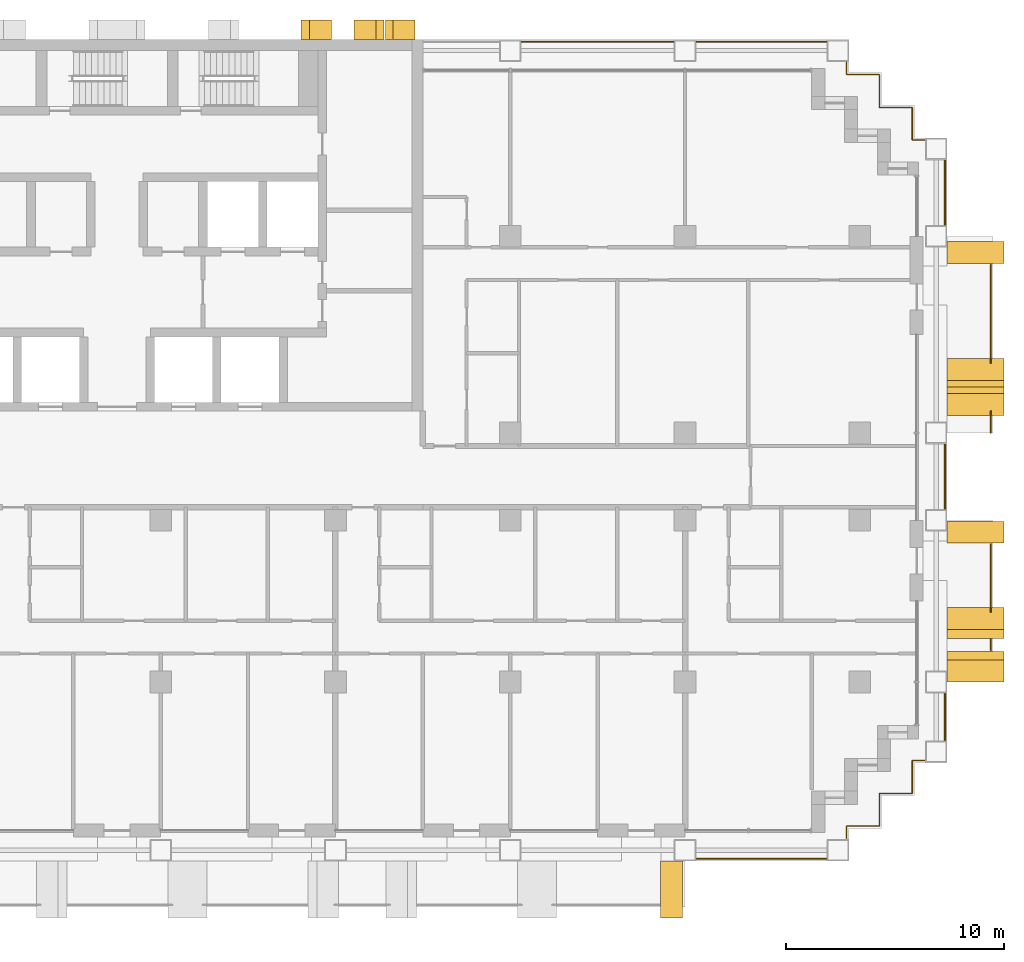
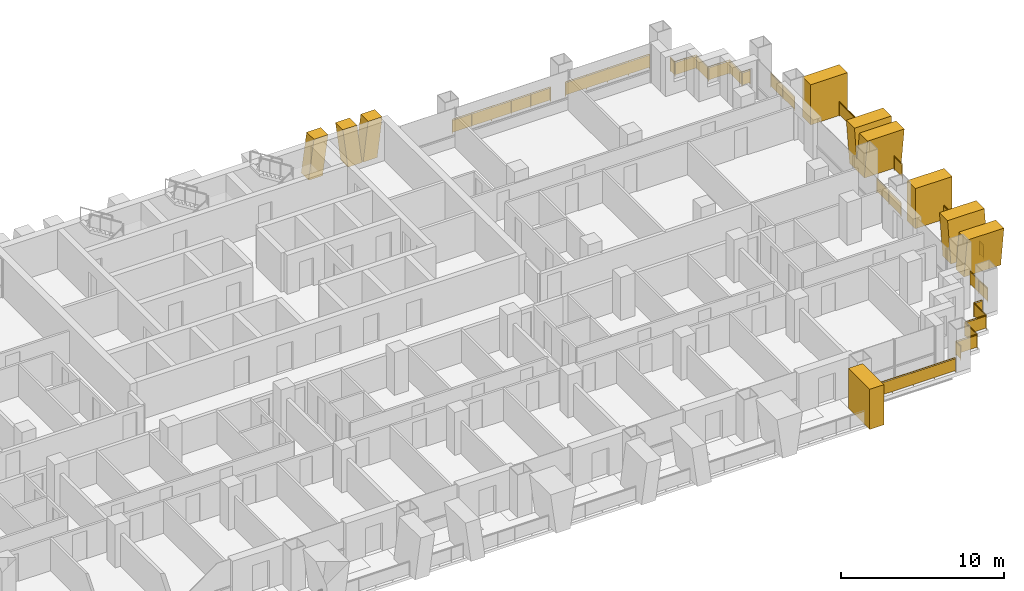
# One storey, part 19 of 19: 12 railings, 9 shading devices.
"""IFC4 building model written with IfcOpenShell, lengths in metres."""

from ifc_helpers import new_model, si_unit, direction, frame, origin, origin_2d, place, context, subcontext, project, spatial, polyline, rectangle, circle, outline, extrude, material, layer, layer_set, type_object, element, save


model = new_model("IFC4")

# Units and contexts
model_context = context("Model", 3, precision=1e-05, world=origin(), true_north=direction((0.0, 1.0)))
body_context = subcontext(model_context, "Body", "Model", "MODEL_VIEW")
ifc_project = project(units=[si_unit("LENGTHUNIT", "METRE"), si_unit("AREAUNIT", "SQUARE_METRE"), si_unit("VOLUMEUNIT", "CUBIC_METRE"), si_unit("PLANEANGLEUNIT", "RADIAN"), si_unit("MASSUNIT", "GRAM", prefix="KILO")], contexts=[model_context])

# Site, building, storey
site_placement = place(None, origin())
site = spatial("IfcSite", under=ifc_project, at=site_placement, CompositionType="ELEMENT")
building_placement = place(site_placement, origin())
building = spatial("IfcBuilding", under=site, at=building_placement, Name="Vidyagriha Tower", CompositionType="ELEMENT")
storey_placement = place(building_placement, frame((0.0, 0.0, 57.60009765625)))
storey = spatial("IfcBuildingStorey", under=building, at=storey_placement, Name="L15", CompositionType="ELEMENT", Elevation=57.60009765625)

# Railings
ifc_material_1 = material(Name="Steel ASTM A500 Grade C black painted", Category="steel")
railing_type_1 = type_object("IfcRailingType", Name="Balcony guard 1100", PredefinedType="BALUSTRADE", material=ifc_material_1)
railing_1_placement = place(storey_placement, frame((40.0, -7.949951171875, 0.0)))
element("IfcRailing", 1, at=railing_1_placement, inside=storey, type_object=railing_type_1, Name="Balcony guard L15 R30.1-1", PredefinedType="BALUSTRADE", context=body_context, shape_type="SweptSolid", body=[
    extrude(circle(Radius=0.02490234375, at=origin_2d()), frame((0.0, 0.0, 1.0751953125), z_axis=(0.0, 1.0, 0.0), x_axis=(-1.0, 0.0, 0.0)), (0.0, 0.0, 1.0), 0.5),
    extrude(circle(Radius=0.02001953125, at=origin_2d()), origin(), (0.0, 0.0, 1.0), 1.050048828125),
    extrude(circle(Radius=0.02001953125, at=origin_2d()), frame((0.0, 0.5, 0.0)), (0.0, 0.0, 1.0), 1.050048828125),
    extrude(rectangle(XDim=0.010009765625, YDim=0.900146484375, at=origin_2d()), frame((0.0, 0.0, 0.550048828125), z_axis=(0.0, 1.0, 0.0), x_axis=(-1.0, 0.0, 0.0)), (0.0, 0.0, 1.0), 0.5),
])
railing_2_placement = place(storey_placement, frame((40.0, -6.19677734375, 0.0)))
element("IfcRailing", 2, at=railing_2_placement, inside=storey, type_object=railing_type_1, Name="Balcony guard L15 R30.1-2", PredefinedType="BALUSTRADE", context=body_context, shape_type="SweptSolid", body=[
    extrude(circle(Radius=0.02490234375, at=origin_2d()), frame((0.0, 0.0, 1.0751953125), z_axis=(0.0, 1.0, 0.0), x_axis=(-1.0, 0.0, 0.0)), (0.0, 0.0, 1.0), 3.0966796875),
    extrude(circle(Radius=0.02001953125, at=origin_2d()), origin(), (0.0, 0.0, 1.0), 1.050048828125),
    extrude(circle(Radius=0.02001953125, at=origin_2d()), frame((0.0, 1.0322265625, 0.0)), (0.0, 0.0, 1.0), 1.050048828125),
    extrude(circle(Radius=0.02001953125, at=origin_2d()), frame((0.0, 2.064453125, 0.0)), (0.0, 0.0, 1.0), 1.050048828125),
    extrude(circle(Radius=0.02001953125, at=origin_2d()), frame((0.0, 3.0966796875, 0.0)), (0.0, 0.0, 1.0), 1.050048828125),
    extrude(rectangle(XDim=0.010009765625, YDim=0.900146484375, at=origin_2d()), frame((0.0, 0.0, 0.550048828125), z_axis=(0.0, 1.0, 0.0), x_axis=(-1.0, 0.0, 0.0)), (0.0, 0.0, 1.0), 3.0966796875),
])
railing_3_placement = place(storey_placement, frame((40.0, 2.0, 0.0)))
element("IfcRailing", 3, at=railing_3_placement, inside=storey, type_object=railing_type_1, Name="Balcony guard L15 R30.2-1", PredefinedType="BALUSTRADE", context=body_context, shape_type="SweptSolid", body=[
    extrude(circle(Radius=0.02490234375, at=origin_2d()), frame((0.0, 0.0, 1.0751953125), z_axis=(0.0, 1.0, 0.0), x_axis=(-1.0, 0.0, 0.0)), (0.0, 0.0, 1.0), 0.99658203125),
    extrude(circle(Radius=0.02001953125, at=origin_2d()), origin(), (0.0, 0.0, 1.0), 1.050048828125),
    extrude(circle(Radius=0.02001953125, at=origin_2d()), frame((0.0, 0.99658203125, 0.0)), (0.0, 0.0, 1.0), 1.050048828125),
    extrude(rectangle(XDim=0.010009765625, YDim=0.900146484375, at=origin_2d()), frame((0.0, 0.0, 0.550048828125), z_axis=(0.0, 1.0, 0.0), x_axis=(-1.0, 0.0, 0.0)), (0.0, 0.0, 1.0), 0.99658203125),
])
railing_4_placement = place(storey_placement, frame((40.0, 5.203369140625, 0.0)))
element("IfcRailing", 4, at=railing_4_placement, inside=storey, type_object=railing_type_1, Name="Balcony guard L15 R30.2-2", PredefinedType="BALUSTRADE", context=body_context, shape_type="SweptSolid", body=[
    extrude(circle(Radius=0.02490234375, at=origin_2d()), frame((0.0, 0.0, 1.0751953125), z_axis=(0.0, 1.0, 0.0), x_axis=(-1.0, 0.0, 0.0)), (0.0, 0.0, 1.0), 4.49658203125),
    extrude(circle(Radius=0.02001953125, at=origin_2d()), origin(), (0.0, 0.0, 1.0), 1.050048828125),
    extrude(circle(Radius=0.02001953125, at=origin_2d()), frame((0.0, 1.1240234375, 0.0)), (0.0, 0.0, 1.0), 1.050048828125),
    extrude(circle(Radius=0.02001953125, at=origin_2d()), frame((0.0, 2.248291015625, 0.0)), (0.0, 0.0, 1.0), 1.050048828125),
    extrude(circle(Radius=0.02001953125, at=origin_2d()), frame((0.0, 3.37255859375, 0.0)), (0.0, 0.0, 1.0), 1.050048828125),
    extrude(circle(Radius=0.02001953125, at=origin_2d()), frame((0.0, 4.49658203125, 0.0)), (0.0, 0.0, 1.0), 1.050048828125),
    extrude(rectangle(XDim=0.010009765625, YDim=0.900146484375, at=origin_2d()), frame((0.0, 0.0, 0.550048828125), z_axis=(0.0, 1.0, 0.0), x_axis=(-1.0, 0.0, 0.0)), (0.0, 0.0, 1.0), 4.49658203125),
])

# Shading devices
ifc_material_2 = material(Name="Precast concrete C40/50 with buff brick facing", Category="concrete")
ifc_layer_1 = layer(ifc_material_2, 1.0)
ifc_layer_set_1 = layer_set([ifc_layer_1], Name="Precast concrete C40/50 with buff brick facing")
shading_device_type_1 = type_object("IfcShadingDeviceType", Name="Brick-faced blade fin arm leaning 8 degrees", PredefinedType="USERDEFINED", material=ifc_layer_set_1)
shading_device_1_placement = place(storey_placement, frame((39.300048828125, -7.39990234375, 0.0), z_axis=(0.0, 0.0, 1.0), x_axis=(0.0, 1.0, 0.0)))
element("IfcShadingDevice", 5, at=shading_device_1_placement, inside=storey, type_object=shading_device_type_1, Name="Leaning blade fin L15 R30.200a", ObjectType="BLADE FIN", PredefinedType="USERDEFINED", context=body_context, shape_type="SweptSolid", body=[
    extrude(outline(polyline([(0.0, 0.0), (1.0, 0.0), (1.39990234375, 3.0), (0.39990234375, 3.0), (0.0, 0.0)])), frame((0.0, 1.300048828125, 0.0), z_axis=(0.0, -1.0, 0.0), x_axis=(1.0, 0.0, 0.0)), (0.0, 0.0, 1.0), 2.60009765625),
])
shading_device_2_placement = place(storey_placement, frame((39.300048828125, -9.39990234375, 0.0), z_axis=(0.0, 0.0, 1.0), x_axis=(0.0, 1.0, 0.0)))
element("IfcShadingDevice", 6, at=shading_device_2_placement, inside=storey, type_object=shading_device_type_1, Name="Leaning blade fin L15 R30.200b", ObjectType="BLADE FIN", PredefinedType="USERDEFINED", context=body_context, shape_type="SweptSolid", body=[
    extrude(outline(polyline([(0.39990234375, 0.0), (1.39990234375, 0.0), (1.0, 3.0), (0.0, 3.0), (0.39990234375, 0.0)])), frame((0.0, 1.300048828125, 0.0), z_axis=(0.0, -1.0, 0.0), x_axis=(1.0, 0.0, 0.0)), (0.0, 0.0, 1.0), 2.60009765625),
])
ifc_material_3 = material(Name="Precast concrete C40/50 with buff brick facing", Category="concrete")
ifc_layer_2 = layer(ifc_material_3, 1.0)
ifc_layer_set_2 = layer_set([ifc_layer_2], Name="Precast concrete C40/50 with buff brick facing")
shading_device_type_2 = type_object("IfcShadingDeviceType", Name="Brick-faced blade fin forking 8 degrees", PredefinedType="USERDEFINED", material=ifc_layer_set_2)
shading_device_3_placement = place(storey_placement, frame((39.300048828125, 2.800048828125, 0.0), z_axis=(0.0, 0.0, 1.0), x_axis=(0.0, 1.0, 0.0)))
element("IfcShadingDevice", 7, at=shading_device_3_placement, inside=storey, type_object=shading_device_type_2, Name="Forked blade fin L15 R30.1340a", ObjectType="BLADE FIN", PredefinedType="USERDEFINED", context=body_context, shape_type="SweptSolid", body=[
    extrude(outline(polyline([(0.39990234375, 0.0), (2.199951171875, 0.0), (2.60009765625, 3.0), (1.60009765625, 3.0), (1.300048828125, 0.75), (1.0, 3.0), (0.0, 3.0), (0.39990234375, 0.0)])), frame((0.0, 1.300048828125, 0.0), z_axis=(0.0, -1.0, 0.0), x_axis=(1.0, 0.0, 0.0)), (0.0, 0.0, 1.0), 2.60009765625),
])
ifc_material_4 = material(Name="Precast concrete C40/50 with buff brick facing", Category="concrete")
ifc_layer_3 = layer(ifc_material_4, 1.0)
ifc_layer_set_3 = layer_set([ifc_layer_3], Name="Precast concrete C40/50 with buff brick facing")
shading_device_type_3 = type_object("IfcShadingDeviceType", Name="Brick-faced blade fin stem 1000", PredefinedType="USERDEFINED", material=ifc_layer_set_3)
shading_device_4_placement = place(storey_placement, frame((24.875, -18.89990234375, 0.0)))
element("IfcShadingDevice", 8, at=shading_device_4_placement, inside=storey, type_object=shading_device_type_3, Name="Stem blade fin L15 R23.5780a", ObjectType="BLADE FIN", PredefinedType="USERDEFINED", context=body_context, shape_type="SweptSolid", body=[
    extrude(outline(polyline([(0.0, 0.0), (1.0, 0.0), (1.0, 3.0), (0.0, 3.0), (0.0, 0.0)])), frame((0.0, 1.300048828125, 0.0), z_axis=(0.0, -1.0, 0.0), x_axis=(1.0, 0.0, 0.0)), (0.0, 0.0, 1.0), 2.60009765625),
])
for number, where, z_axis, x_axis, name in (
    (9, (39.300048828125, -3.050048828125, 0.0), (0.0, 0.0, 1.0), (0.0, 1.0, 0.0), "Stem blade fin L15 R30.940a"),
    (10, (39.300048828125, 9.75, 0.0), (0.0, 0.0, 1.0), (0.0, 1.0, 0.0), "Stem blade fin L15 R30.2240a"),
):
    element("IfcShadingDevice", number, at=place(storey_placement, frame(where, z_axis=z_axis, x_axis=x_axis)), inside=storey, type_object=shading_device_type_3, Name=name, ObjectType="BLADE FIN", PredefinedType="USERDEFINED", context=body_context, shape_type="SweptSolid", body=[
        extrude(outline(polyline([(0.0, 0.0), (1.0, 0.0), (1.0, 3.0), (0.0, 3.0), (0.0, 0.0)])), frame((0.0, 1.300048828125, 0.0), z_axis=(0.0, -1.0, 0.0), x_axis=(1.0, 0.0, 0.0)), (0.0, 0.0, 1.0), 2.60009765625),
    ])
ifc_material_5 = material(Name="Precast concrete C40/50 with brick facing", Category="concrete")
ifc_layer_4 = layer(ifc_material_5, 1.0)
ifc_layer_set_4 = layer_set([ifc_layer_4], Name="Precast concrete C40/50 with brick facing")
shading_device_type_4 = type_object("IfcShadingDeviceType", Name="Brick-faced rear rib arm leaning 8 degrees", PredefinedType="USERDEFINED", material=ifc_layer_set_4)
shading_device_5_placement = place(storey_placement, frame((12.21435546875, 20.449951171875, 0.0), z_axis=(0.0, 0.0, 1.0), x_axis=(-1.0, 0.0, 0.0)))
element("IfcShadingDevice", 11, at=shading_device_5_placement, inside=storey, type_object=shading_device_type_4, Name="Rear rib arm L15 R08.1a", ObjectType="BLADE FIN", PredefinedType="USERDEFINED", context=body_context, shape_type="SweptSolid", body=[
    extrude(outline(polyline([(0.0, 0.0), (1.0, 0.0), (1.357177734375, 2.919921875), (0.357177734375, 2.919921875), (0.0, 0.0)])), frame((0.0, 0.449951171875, 0.0), z_axis=(0.0, -1.0, 0.0), x_axis=(1.0, 0.0, 0.0)), (0.0, 0.0, 1.0), 0.89990234375),
])
shading_device_6_placement = place(storey_placement, frame((13.642822265625, 20.449951171875, 0.0), z_axis=(0.0, 0.0, 1.0), x_axis=(-1.0, 0.0, 0.0)))
element("IfcShadingDevice", 12, at=shading_device_6_placement, inside=storey, type_object=shading_device_type_4, Name="Rear rib arm L15 R08.1b", ObjectType="BLADE FIN", PredefinedType="USERDEFINED", context=body_context, shape_type="SweptSolid", body=[
    extrude(outline(polyline([(0.357177734375, 0.0), (1.357177734375, 0.0), (1.0, 2.919921875), (0.0, 2.919921875), (0.357177734375, 0.0)])), frame((0.0, 0.449951171875, 0.0), z_axis=(0.0, -1.0, 0.0), x_axis=(1.0, 0.0, 0.0)), (0.0, 0.0, 1.0), 0.89990234375),
])
shading_device_7_placement = place(storey_placement, frame((9.814208984375, 20.449951171875, 0.0), z_axis=(0.0, 0.0, 1.0), x_axis=(-1.0, 0.0, 0.0)))
element("IfcShadingDevice", 13, at=shading_device_7_placement, inside=storey, type_object=shading_device_type_4, Name="Rear rib arm L15 R08.2b", ObjectType="BLADE FIN", PredefinedType="USERDEFINED", context=body_context, shape_type="SweptSolid", body=[
    extrude(outline(polyline([(0.3857421875, 0.0), (1.3857421875, 0.0), (1.0, 2.919921875), (0.0, 2.919921875), (0.3857421875, 0.0)])), frame((0.0, 0.449951171875, 0.0), z_axis=(0.0, -1.0, 0.0), x_axis=(1.0, 0.0, 0.0)), (0.0, 0.0, 1.0), 0.89990234375),
])

# Railings
ifc_material_6 = material(Name="Steel ASTM A500 Grade C black painted", Category="steel")
railing_type_2 = type_object("IfcRailingType", Name="Gallery guard 1100", PredefinedType="GUARDRAIL", material=ifc_material_6)
railing_5_placement = place(storey_placement, frame((18.530029296875, 19.89990234375, 0.0)))
element("IfcRailing", 14, at=railing_5_placement, inside=storey, type_object=railing_type_2, Name="Gallery guard L15 11", PredefinedType="GUARDRAIL", context=body_context, shape_type="SweptSolid", body=[
    extrude(circle(Radius=0.02490234375, at=origin_2d()), frame((0.0, 0.0, 1.0751953125), z_axis=(1.0, 0.0, 0.0), x_axis=(0.0, 1.0, 0.0)), (0.0, 0.0, 1.0), 6.93994140625),
    extrude(circle(Radius=0.02001953125, at=origin_2d()), origin(), (0.0, 0.0, 1.0), 1.050048828125),
    extrude(circle(Radius=0.02001953125, at=origin_2d()), frame((1.387939453125, 0.0, 0.0)), (0.0, 0.0, 1.0), 1.050048828125),
    extrude(circle(Radius=0.02001953125, at=origin_2d()), frame((2.77587890625, 0.0, 0.0)), (0.0, 0.0, 1.0), 1.050048828125),
    extrude(circle(Radius=0.02001953125, at=origin_2d()), frame((4.1640625, 0.0, 0.0)), (0.0, 0.0, 1.0), 1.050048828125),
    extrude(circle(Radius=0.02001953125, at=origin_2d()), frame((5.552001953125, 0.0, 0.0)), (0.0, 0.0, 1.0), 1.050048828125),
    extrude(circle(Radius=0.02001953125, at=origin_2d()), frame((6.93994140625, 0.0, 0.0)), (0.0, 0.0, 1.0), 1.050048828125),
    extrude(rectangle(XDim=0.010009765625, YDim=0.900146484375, at=origin_2d()), frame((0.0, 0.0, 0.550048828125), z_axis=(1.0, 0.0, 0.0), x_axis=(0.0, 1.0, 0.0)), (0.0, 0.0, 1.0), 6.93994140625),
])
railing_6_placement = place(storey_placement, frame((32.469970703125, -17.5, 0.0)))
element("IfcRailing", 15, at=railing_6_placement, inside=storey, type_object=railing_type_2, Name="Gallery guard L15 12", PredefinedType="GUARDRAIL", context=body_context, shape_type="SweptSolid", body=[
    extrude(circle(Radius=0.02490234375, at=origin_2d()), frame((0.0, 0.0, 1.0751953125), z_axis=(-1.0, 0.0, 0.0), x_axis=(0.0, -1.0, 0.0)), (0.0, 0.0, 1.0), 5.93994140625),
    extrude(circle(Radius=0.02001953125, at=origin_2d()), origin(), (0.0, 0.0, 1.0), 1.050048828125),
    extrude(circle(Radius=0.02001953125, at=origin_2d()), frame((-1.48486328125, 0.0, 0.0)), (0.0, 0.0, 1.0), 1.050048828125),
    extrude(circle(Radius=0.02001953125, at=origin_2d()), frame((-2.969970703125, 0.0, 0.0)), (0.0, 0.0, 1.0), 1.050048828125),
    extrude(circle(Radius=0.02001953125, at=origin_2d()), frame((-4.455078125, 0.0, 0.0)), (0.0, 0.0, 1.0), 1.050048828125),
    extrude(circle(Radius=0.02001953125, at=origin_2d()), frame((-5.93994140625, 0.0, 0.0)), (0.0, 0.0, 1.0), 1.050048828125),
    extrude(rectangle(XDim=0.010009765625, YDim=0.900146484375, at=origin_2d()), frame((0.0, 0.0, 0.550048828125), z_axis=(-1.0, 0.0, 0.0), x_axis=(0.0, -1.0, 0.0)), (0.0, 0.0, 1.0), 5.93994140625),
])
railing_7_placement = place(storey_placement, frame((26.530029296875, 19.89990234375, 0.0)))
element("IfcRailing", 16, at=railing_7_placement, inside=storey, type_object=railing_type_2, Name="Gallery guard L15 13", PredefinedType="GUARDRAIL", context=body_context, shape_type="SweptSolid", body=[
    extrude(circle(Radius=0.02490234375, at=origin_2d()), frame((0.0, 0.0, 1.0751953125), z_axis=(1.0, 0.0, 0.0), x_axis=(0.0, 1.0, 0.0)), (0.0, 0.0, 1.0), 5.93994140625),
    extrude(circle(Radius=0.02001953125, at=origin_2d()), origin(), (0.0, 0.0, 1.0), 1.050048828125),
    extrude(circle(Radius=0.02001953125, at=origin_2d()), frame((1.48486328125, 0.0, 0.0)), (0.0, 0.0, 1.0), 1.050048828125),
    extrude(circle(Radius=0.02001953125, at=origin_2d()), frame((2.969970703125, 0.0, 0.0)), (0.0, 0.0, 1.0), 1.050048828125),
    extrude(circle(Radius=0.02001953125, at=origin_2d()), frame((4.455078125, 0.0, 0.0)), (0.0, 0.0, 1.0), 1.050048828125),
    extrude(circle(Radius=0.02001953125, at=origin_2d()), frame((5.93994140625, 0.0, 0.0)), (0.0, 0.0, 1.0), 1.050048828125),
    extrude(rectangle(XDim=0.010009765625, YDim=0.900146484375, at=origin_2d()), frame((0.0, 0.0, 0.550048828125), z_axis=(1.0, 0.0, 0.0), x_axis=(0.0, 1.0, 0.0)), (0.0, 0.0, 1.0), 5.93994140625),
])
railing_8_placement = place(storey_placement, frame((36.969970703125, -13.0, 0.0)))
element("IfcRailing", 17, at=railing_8_placement, inside=storey, type_object=railing_type_2, Name="Gallery guard L15 14", PredefinedType="GUARDRAIL", context=body_context, shape_type="SweptSolid", body=[
    extrude(circle(Radius=0.02490234375, at=origin_2d()), frame((0.0, 0.0, 1.0751953125), z_axis=(-1.0, 0.0, 0.0), x_axis=(0.0, -1.0, 0.0)), (0.0, 0.0, 1.0), 0.570068359375),
    extrude(circle(Radius=0.02490234375, at=origin_2d()), frame((-0.570068359375, 0.0, 1.0751953125), z_axis=(0.0, -1.0, 0.0), x_axis=(1.0, 0.0, 0.0)), (0.0, 0.0, 1.0), 1.5),
    extrude(circle(Radius=0.02490234375, at=origin_2d()), frame((-0.570068359375, -1.5, 1.0751953125), z_axis=(-1.0, 0.0, 0.0), x_axis=(0.0, -1.0, 0.0)), (0.0, 0.0, 1.0), 1.5),
    extrude(circle(Radius=0.02490234375, at=origin_2d()), frame((-2.070068359375, -1.5, 1.0751953125), z_axis=(0.0, -1.0, 0.0), x_axis=(1.0, 0.0, 0.0)), (0.0, 0.0, 1.0), 1.5),
    extrude(circle(Radius=0.02490234375, at=origin_2d()), frame((-2.070068359375, -3.0, 1.0751953125), z_axis=(-1.0, 0.0, 0.0), x_axis=(0.0, -1.0, 0.0)), (0.0, 0.0, 1.0), 1.5),
    extrude(circle(Radius=0.02490234375, at=origin_2d()), frame((-3.570068359375, -3.0, 1.0751953125), z_axis=(0.0, -1.0, 0.0), x_axis=(1.0, 0.0, 0.0)), (0.0, 0.0, 1.0), 0.570068359375),
    extrude(circle(Radius=0.02001953125, at=origin_2d()), origin(), (0.0, 0.0, 1.0), 1.050048828125),
    extrude(circle(Radius=0.02001953125, at=origin_2d()), frame((-0.570068359375, 0.0, 0.0)), (0.0, 0.0, 1.0), 1.050048828125),
    extrude(circle(Radius=0.02001953125, at=origin_2d()), frame((-0.570068359375, -1.5, 0.0)), (0.0, 0.0, 1.0), 1.050048828125),
    extrude(circle(Radius=0.02001953125, at=origin_2d()), frame((-2.070068359375, -1.5, 0.0)), (0.0, 0.0, 1.0), 1.050048828125),
    extrude(circle(Radius=0.02001953125, at=origin_2d()), frame((-2.070068359375, -3.0, 0.0)), (0.0, 0.0, 1.0), 1.050048828125),
    extrude(circle(Radius=0.02001953125, at=origin_2d()), frame((-3.570068359375, -3.0, 0.0)), (0.0, 0.0, 1.0), 1.050048828125),
    extrude(circle(Radius=0.02001953125, at=origin_2d()), frame((-3.570068359375, -3.570068359375, 0.0)), (0.0, 0.0, 1.0), 1.050048828125),
    extrude(rectangle(XDim=0.010009765625, YDim=0.900146484375, at=origin_2d()), frame((0.0, 0.0, 0.550048828125), z_axis=(-1.0, 0.0, 0.0), x_axis=(0.0, -1.0, 0.0)), (0.0, 0.0, 1.0), 0.570068359375),
    extrude(rectangle(XDim=0.010009765625, YDim=0.900146484375, at=origin_2d()), frame((-0.570068359375, 0.0, 0.550048828125), z_axis=(0.0, -1.0, 0.0), x_axis=(1.0, 0.0, 0.0)), (0.0, 0.0, 1.0), 1.5),
    extrude(rectangle(XDim=0.010009765625, YDim=0.900146484375, at=origin_2d()), frame((-0.570068359375, -1.5, 0.550048828125), z_axis=(-1.0, 0.0, 0.0), x_axis=(0.0, -1.0, 0.0)), (0.0, 0.0, 1.0), 1.5),
    extrude(rectangle(XDim=0.010009765625, YDim=0.900146484375, at=origin_2d()), frame((-2.070068359375, -1.5, 0.550048828125), z_axis=(0.0, -1.0, 0.0), x_axis=(1.0, 0.0, 0.0)), (0.0, 0.0, 1.0), 1.5),
    extrude(rectangle(XDim=0.010009765625, YDim=0.900146484375, at=origin_2d()), frame((-2.070068359375, -3.0, 0.550048828125), z_axis=(-1.0, 0.0, 0.0), x_axis=(0.0, -1.0, 0.0)), (0.0, 0.0, 1.0), 1.5),
    extrude(rectangle(XDim=0.010009765625, YDim=0.900146484375, at=origin_2d()), frame((-3.570068359375, -3.0, 0.550048828125), z_axis=(0.0, -1.0, 0.0), x_axis=(1.0, 0.0, 0.0)), (0.0, 0.0, 1.0), 0.570068359375),
])
railing_9_placement = place(storey_placement, frame((33.39990234375, 18.969970703125, 0.0)))
element("IfcRailing", 18, at=railing_9_placement, inside=storey, type_object=railing_type_2, Name="Gallery guard L15 15", PredefinedType="GUARDRAIL", context=body_context, shape_type="SweptSolid", body=[
    extrude(circle(Radius=0.02490234375, at=origin_2d()), frame((0.0, 0.0, 1.0751953125), z_axis=(0.0, -1.0, 0.0), x_axis=(1.0, 0.0, 0.0)), (0.0, 0.0, 1.0), 0.570068359375),
    extrude(circle(Radius=0.02490234375, at=origin_2d()), frame((0.0, -0.570068359375, 1.0751953125), z_axis=(1.0, 0.0, 0.0), x_axis=(0.0, 1.0, 0.0)), (0.0, 0.0, 1.0), 1.5),
    extrude(circle(Radius=0.02490234375, at=origin_2d()), frame((1.5, -0.570068359375, 1.0751953125), z_axis=(0.0, -1.0, 0.0), x_axis=(1.0, 0.0, 0.0)), (0.0, 0.0, 1.0), 1.5),
    extrude(circle(Radius=0.02490234375, at=origin_2d()), frame((1.5, -2.070068359375, 1.0751953125), z_axis=(1.0, 0.0, 0.0), x_axis=(0.0, 1.0, 0.0)), (0.0, 0.0, 1.0), 1.5),
    extrude(circle(Radius=0.02490234375, at=origin_2d()), frame((3.0, -2.070068359375, 1.0751953125), z_axis=(0.0, -1.0, 0.0), x_axis=(1.0, 0.0, 0.0)), (0.0, 0.0, 1.0), 1.5),
    extrude(circle(Radius=0.02490234375, at=origin_2d()), frame((3.0, -3.570068359375, 1.0751953125), z_axis=(1.0, 0.0, 0.0), x_axis=(0.0, 1.0, 0.0)), (0.0, 0.0, 1.0), 0.570068359375),
    extrude(circle(Radius=0.02001953125, at=origin_2d()), origin(), (0.0, 0.0, 1.0), 1.050048828125),
    extrude(circle(Radius=0.02001953125, at=origin_2d()), frame((0.0, -0.570068359375, 0.0)), (0.0, 0.0, 1.0), 1.050048828125),
    extrude(circle(Radius=0.02001953125, at=origin_2d()), frame((1.5, -0.570068359375, 0.0)), (0.0, 0.0, 1.0), 1.050048828125),
    extrude(circle(Radius=0.02001953125, at=origin_2d()), frame((1.5, -2.070068359375, 0.0)), (0.0, 0.0, 1.0), 1.050048828125),
    extrude(circle(Radius=0.02001953125, at=origin_2d()), frame((3.0, -2.070068359375, 0.0)), (0.0, 0.0, 1.0), 1.050048828125),
    extrude(circle(Radius=0.02001953125, at=origin_2d()), frame((3.0, -3.570068359375, 0.0)), (0.0, 0.0, 1.0), 1.050048828125),
    extrude(circle(Radius=0.02001953125, at=origin_2d()), frame((3.570068359375, -3.570068359375, 0.0)), (0.0, 0.0, 1.0), 1.050048828125),
    extrude(rectangle(XDim=0.010009765625, YDim=0.900146484375, at=origin_2d()), frame((0.0, 0.0, 0.550048828125), z_axis=(0.0, -1.0, 0.0), x_axis=(1.0, 0.0, 0.0)), (0.0, 0.0, 1.0), 0.570068359375),
    extrude(rectangle(XDim=0.010009765625, YDim=0.900146484375, at=origin_2d()), frame((0.0, -0.570068359375, 0.550048828125), z_axis=(1.0, 0.0, 0.0), x_axis=(0.0, 1.0, 0.0)), (0.0, 0.0, 1.0), 1.5),
    extrude(rectangle(XDim=0.010009765625, YDim=0.900146484375, at=origin_2d()), frame((1.5, -0.570068359375, 0.550048828125), z_axis=(0.0, -1.0, 0.0), x_axis=(1.0, 0.0, 0.0)), (0.0, 0.0, 1.0), 1.5),
    extrude(rectangle(XDim=0.010009765625, YDim=0.900146484375, at=origin_2d()), frame((1.5, -2.070068359375, 0.550048828125), z_axis=(1.0, 0.0, 0.0), x_axis=(0.0, 1.0, 0.0)), (0.0, 0.0, 1.0), 1.5),
    extrude(rectangle(XDim=0.010009765625, YDim=0.900146484375, at=origin_2d()), frame((3.0, -2.070068359375, 0.550048828125), z_axis=(0.0, -1.0, 0.0), x_axis=(1.0, 0.0, 0.0)), (0.0, 0.0, 1.0), 1.5),
    extrude(rectangle(XDim=0.010009765625, YDim=0.900146484375, at=origin_2d()), frame((3.0, -3.570068359375, 0.550048828125), z_axis=(1.0, 0.0, 0.0), x_axis=(0.0, 1.0, 0.0)), (0.0, 0.0, 1.0), 0.570068359375),
])
railing_10_placement = place(storey_placement, frame((37.89990234375, -9.929931640625, 0.0)))
element("IfcRailing", 19, at=railing_10_placement, inside=storey, type_object=railing_type_2, Name="Gallery guard L15 16", PredefinedType="GUARDRAIL", context=body_context, shape_type="SweptSolid", body=[
    extrude(circle(Radius=0.02490234375, at=origin_2d()), frame((0.0, 0.0, 1.0751953125), z_axis=(0.0, -1.0, 0.0), x_axis=(1.0, 0.0, 0.0)), (0.0, 0.0, 1.0), 2.14013671875),
    extrude(circle(Radius=0.02001953125, at=origin_2d()), origin(), (0.0, 0.0, 1.0), 1.050048828125),
    extrude(circle(Radius=0.02001953125, at=origin_2d()), frame((0.0, -1.070068359375, 0.0)), (0.0, 0.0, 1.0), 1.050048828125),
    extrude(circle(Radius=0.02001953125, at=origin_2d()), frame((0.0, -2.14013671875, 0.0)), (0.0, 0.0, 1.0), 1.050048828125),
    extrude(rectangle(XDim=0.010009765625, YDim=0.900146484375, at=origin_2d()), frame((0.0, 0.0, 0.550048828125), z_axis=(0.0, -1.0, 0.0), x_axis=(1.0, 0.0, 0.0)), (0.0, 0.0, 1.0), 2.14013671875),
])
for number, where, name in (
    (20, (37.89990234375, 1.469970703125, 0.0), "Gallery guard L15 17"),
    (21, (37.89990234375, 14.469970703125, 0.0), "Gallery guard L15 18"),
):
    element("IfcRailing", number, at=place(storey_placement, frame(where)), inside=storey, type_object=railing_type_2, Name=name, PredefinedType="GUARDRAIL", context=body_context, shape_type="SweptSolid", body=[
        extrude(circle(Radius=0.02490234375, at=origin_2d()), frame((0.0, 0.0, 1.0751953125), z_axis=(0.0, -1.0, 0.0), x_axis=(1.0, 0.0, 0.0)), (0.0, 0.0, 1.0), 2.93994140625),
        extrude(circle(Radius=0.02001953125, at=origin_2d()), origin(), (0.0, 0.0, 1.0), 1.050048828125),
        extrude(circle(Radius=0.02001953125, at=origin_2d()), frame((0.0, -1.469970703125, 0.0)), (0.0, 0.0, 1.0), 1.050048828125),
        extrude(circle(Radius=0.02001953125, at=origin_2d()), frame((0.0, -2.93994140625, 0.0)), (0.0, 0.0, 1.0), 1.050048828125),
        extrude(rectangle(XDim=0.010009765625, YDim=0.900146484375, at=origin_2d()), frame((0.0, 0.0, 0.550048828125), z_axis=(0.0, -1.0, 0.0), x_axis=(1.0, 0.0, 0.0)), (0.0, 0.0, 1.0), 2.93994140625),
    ])

save(model, "model.ifc")
